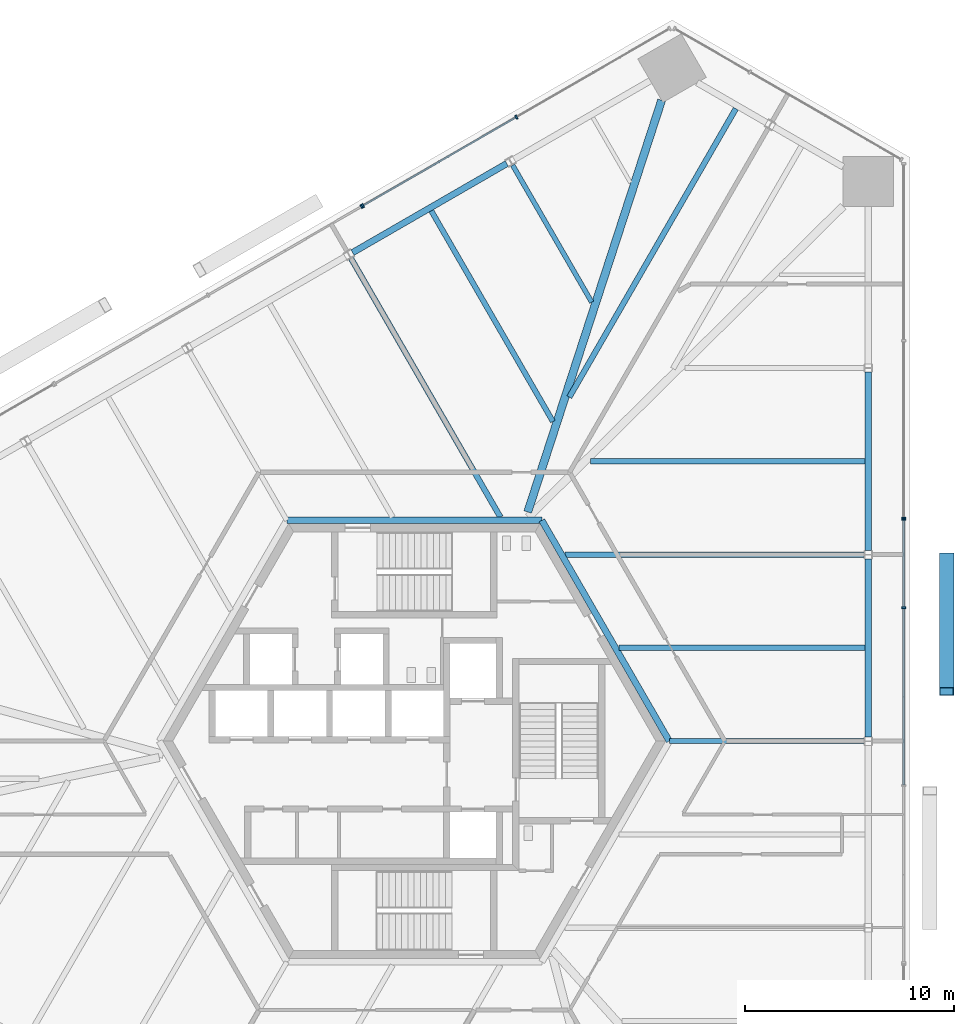
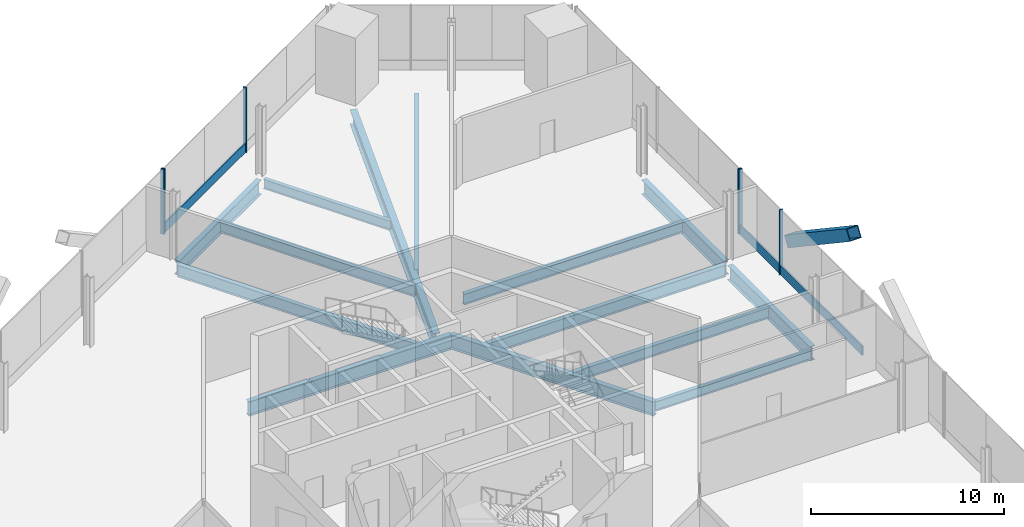
# One storey, part 6 of 15: 14 beams, 10 members, 4 elements without a shape of their own.
"""IFC4 building model written with IfcOpenShell, lengths in metres."""

from ifc_helpers import new_model, si_unit, direction, frame, origin, origin_2d, place, context, subcontext, project, spatial, rectangle, hollow_rectangle, i_section, extrude, source, transform, mapped, material, material_profile, profile_set, type_object, element, aggregate, save


model = new_model("IFC4")

# Units and contexts
model_context = context("Model", 3, precision=1e-05, world=origin(), true_north=direction((0.0, 1.0)))
body_context = subcontext(model_context, "Body", "Model", "MODEL_VIEW")
ifc_project = project(units=[si_unit("LENGTHUNIT", "METRE"), si_unit("AREAUNIT", "SQUARE_METRE"), si_unit("VOLUMEUNIT", "CUBIC_METRE"), si_unit("PLANEANGLEUNIT", "RADIAN"), si_unit("MASSUNIT", "GRAM", prefix="KILO")], contexts=[model_context])

# Site, building, storey
site_placement = place(None, origin())
site = spatial("IfcSite", under=ifc_project, at=site_placement, CompositionType="ELEMENT")
building_placement = place(site_placement, origin())
building = spatial("IfcBuilding", under=site, at=building_placement, Name="Triune Harvest Tower", CompositionType="ELEMENT")
storey_placement = place(building_placement, frame((0.0, 0.0, 28.89990234375)))
storey = spatial("IfcBuildingStorey", under=building, at=storey_placement, Name="L06", CompositionType="ELEMENT", Elevation=28.89990234375)

# Beams
ifc_material_1 = material(Name="Steel ASTM A992 Gr 50", Category="steel")
ifc_material_profile_1 = material_profile(ifc_material_1, i_section(OverallWidth=0.3046875, OverallDepth=0.914306640625, WebThickness=0.0166015625, FlangeThickness=0.02587890625, at=origin_2d()), Name="W36x160")
ifc_profile_set_1 = profile_set([ifc_material_profile_1], Name="Steel ASTM A992 Gr 50")
beam_type_1 = type_object("IfcBeamType", Name="CG-1 Core ring girder W36x160", PredefinedType="BEAM", material=ifc_profile_set_1)
shared_shape_1 = source(origin(), body_context, "Body", "SweptSolid", [
    extrude(i_section(OverallWidth=0.3046875, OverallDepth=0.914306640625, WebThickness=0.0166015625, FlangeThickness=0.02587890625, at=origin_2d()), origin(), (0.0, 0.0, 1.0), 12.176025390625),
])
beam_1_placement = place(storey_placement, frame((12.176025390625, 0.0, -0.656982421875), z_axis=(-0.5000099932, 0.866019634131, 0.0), x_axis=(-0.866019634131, -0.5000099932, 0.0)))
element("IfcBeam", 1, at=beam_1_placement, inside=storey, type_object=beam_type_1, Name="beam/L06/CG1", PredefinedType="BEAM", context=body_context, shape_type="MappedRepresentation", body=[
    mapped(shared_shape_1, transform((0.0, 0.0, 0.0), scale=1.0)),
])
shared_shape_2 = source(origin(), body_context, "Body", "SweptSolid", [
    extrude(i_section(OverallWidth=0.3046875, OverallDepth=0.914306640625, WebThickness=0.0166015625, FlangeThickness=0.02587890625, at=origin_2d()), origin(), (0.0, 0.0, 1.0), 12.17578125),
])
beam_2_placement = place(storey_placement, frame((6.087890625, 10.544677734375, -0.656982421875), z_axis=(-1.0, 0.0, 0.0), x_axis=(0.0, -1.0, 0.0)))
element("IfcBeam", 2, at=beam_2_placement, inside=storey, type_object=beam_type_1, Name="beam/L06/CG2", PredefinedType="BEAM", context=body_context, shape_type="MappedRepresentation", body=[
    mapped(shared_shape_2, transform((0.0, 0.0, 0.0), scale=1.0)),
])
ifc_material_2 = material(Name="Steel ASTM A992 Gr 50", Category="steel")
ifc_material_profile_2 = material_profile(ifc_material_2, i_section(OverallWidth=0.383544921875, OverallDepth=0.9423828125, WebThickness=0.022216796875, FlangeThickness=0.039794921875, at=origin_2d()), Name="W36x232")
ifc_profile_set_2 = profile_set([ifc_material_profile_2], Name="Steel ASTM A992 Gr 50")
beam_type_2 = type_object("IfcBeamType", Name="HG-1 Hip girder W36x232", PredefinedType="BEAM", material=ifc_profile_set_2)
shared_shape_3 = source(origin(), body_context, "Body", "SweptSolid", [
    extrude(i_section(OverallWidth=0.383544921875, OverallDepth=0.9423828125, WebThickness=0.022216796875, FlangeThickness=0.039794921875, at=origin_2d()), origin(), (0.0, 0.0, 1.0), 20.676025390625),
])
beam_3_placement = place(storey_placement, frame((11.809814453125, 30.6044921875, -0.671142578125), z_axis=(-0.309191000288, -0.950999960747, 0.0), x_axis=(0.950999960747, -0.309191000288, 0.0)))
element("IfcBeam", 3, at=beam_3_placement, inside=storey, type_object=beam_type_2, Name="beam/L06/HG3", PredefinedType="BEAM", context=body_context, shape_type="MappedRepresentation", body=[
    mapped(shared_shape_3, transform((0.0, 0.0, 0.0), scale=1.0)),
])
ifc_material_3 = material(Name="Steel ASTM A992 Gr 50", Category="steel")
ifc_material_profile_3 = material_profile(ifc_material_3, i_section(OverallWidth=0.2666015625, OverallDepth=0.7568359375, WebThickness=0.013916015625, FlangeThickness=0.019287109375, at=origin_2d()), Name="W30x108")
ifc_profile_set_3 = profile_set([ifc_material_profile_3], Name="Steel ASTM A992 Gr 50")
beam_type_3 = type_object("IfcBeamType", Name="JT-5 Floor joist W30x108", PredefinedType="JOIST", material=ifc_profile_set_3)
shared_shape_4 = source(origin(), body_context, "Body", "SweptSolid", [
    extrude(i_section(OverallWidth=0.2666015625, OverallDepth=0.7568359375, WebThickness=0.013916015625, FlangeThickness=0.019287109375, at=origin_2d()), origin(), (0.0, 0.0, 1.0), 14.2685546875),
])
for number, where, z_axis, x_axis, name in (
    (4, (21.476318359375, 8.909912109375, -0.578369140625), (-1.0, 0.0, 0.0), (0.0, -1.0, 0.0), "beam/L06/JT8"),
    (5, (-3.02197265625, 23.053955078125, -0.578369140625), (0.499999916269, -0.866025452127, 0.0), (0.866025452127, 0.499999916269, 0.0), "beam/L06/JT17"),
):
    element("IfcBeam", number, at=place(storey_placement, frame(where, z_axis=z_axis, x_axis=x_axis)), inside=storey, type_object=beam_type_3, Name=name, PredefinedType="JOIST", context=body_context, shape_type="MappedRepresentation", body=[
        mapped(shared_shape_4, transform((0.0, 0.0, 0.0), scale=1.0)),
    ])
ifc_material_4 = material(Name="Steel ASTM A992 Gr 50", Category="steel")
ifc_material_profile_4 = material_profile(ifc_material_4, i_section(OverallWidth=0.22900390625, OverallDepth=0.612060546875, WebThickness=0.011962890625, FlangeThickness=0.01953125, at=origin_2d()), Name="W24x84")
ifc_profile_set_4 = profile_set([ifc_material_profile_4], Name="Steel ASTM A992 Gr 50")
beam_type_4 = type_object("IfcBeamType", Name="JT-3 Floor joist W24x84", PredefinedType="JOIST", material=ifc_profile_set_4)
shared_shape_5 = source(origin(), body_context, "Body", "SweptSolid", [
    extrude(i_section(OverallWidth=0.22900390625, OverallDepth=0.612060546875, WebThickness=0.011962890625, FlangeThickness=0.01953125, at=origin_2d()), origin(), (0.0, 0.0, 1.0), 9.30029296875),
])
beam_4_placement = place(storey_placement, frame((21.476318359375, 0.0, -0.506103515625), z_axis=(-1.0, 0.0, 0.0), x_axis=(0.0, -1.0, 0.0)))
element("IfcBeam", 6, at=beam_4_placement, inside=storey, type_object=beam_type_4, Name="beam/L06/JT6", PredefinedType="JOIST", context=body_context, shape_type="MappedRepresentation", body=[
    mapped(shared_shape_5, transform((0.0, 0.0, 0.0), scale=1.0)),
])
shared_shape_6 = source(origin(), body_context, "Body", "SweptSolid", [
    extrude(i_section(OverallWidth=0.22900390625, OverallDepth=0.612060546875, WebThickness=0.011962890625, FlangeThickness=0.01953125, at=origin_2d()), origin(), (0.0, 0.0, 1.0), 7.55859375),
])
beam_5_placement = place(storey_placement, frame((4.6943359375, 27.509033203125, -0.506103515625), z_axis=(0.500002049001, -0.86602422079, 0.0), x_axis=(0.86602422079, 0.500002049001, 0.0)))
element("IfcBeam", 7, at=beam_5_placement, inside=storey, type_object=beam_type_4, Name="beam/L06/JT15", PredefinedType="JOIST", context=body_context, shape_type="MappedRepresentation", body=[
    mapped(shared_shape_6, transform((0.0, 0.0, 0.0), scale=1.0)),
])
ifc_material_5 = material(Name="Steel ASTM A992 Gr 50", Category="steel")
ifc_material_profile_5 = material_profile(ifc_material_5, i_section(OverallWidth=0.3046875, OverallDepth=0.914306640625, WebThickness=0.0166015625, FlangeThickness=0.02587890625, at=origin_2d()), Name="W36x160")
ifc_profile_set_5 = profile_set([ifc_material_profile_5], Name="Steel ASTM A992 Gr 50")
beam_type_5 = type_object("IfcBeamType", Name="SB-1 Spandrel beam W36x160", PredefinedType="SPANDREL", material=ifc_profile_set_5)
shared_shape_7 = source(origin(), body_context, "Body", "SweptSolid", [
    extrude(i_section(OverallWidth=0.3046875, OverallDepth=0.914306640625, WebThickness=0.0166015625, FlangeThickness=0.02587890625, at=origin_2d()), origin(), (0.0, 0.0, 1.0), 8.50634765625),
])
beam_6_placement = place(storey_placement, frame((21.679443359375, 9.11181640625, -0.656982421875), z_axis=(0.0, 1.0, 0.0), x_axis=(-1.0, 0.0, 0.0)))
element("IfcBeam", 8, at=beam_6_placement, inside=storey, type_object=beam_type_5, Name="beam/L06/SB5", PredefinedType="SPANDREL", context=body_context, shape_type="MappedRepresentation", body=[
    mapped(shared_shape_7, transform((0.0, 0.0, 0.0), scale=1.0)),
])
shared_shape_8 = source(origin(), body_context, "Body", "SweptSolid", [
    extrude(i_section(OverallWidth=0.3046875, OverallDepth=0.914306640625, WebThickness=0.0166015625, FlangeThickness=0.02587890625, at=origin_2d()), origin(), (0.0, 0.0, 1.0), 8.506103515625),
])
for number, where, z_axis, x_axis, name in (
    (9, (21.679443359375, 0.201904296875, -0.656982421875), (0.0, 1.0, 0.0), (-1.0, 0.0, 0.0), "beam/L06/SB4"),
    (10, (4.41796875, 27.583984375, -0.656982421875), (-0.866030246746, -0.49999161165, 0.0), (0.49999161165, -0.866030246746, 0.0), "beam/L06/SB10"),
):
    element("IfcBeam", number, at=place(storey_placement, frame(where, z_axis=z_axis, x_axis=x_axis)), inside=storey, type_object=beam_type_5, Name=name, PredefinedType="SPANDREL", context=body_context, shape_type="MappedRepresentation", body=[
        mapped(shared_shape_8, transform((0.0, 0.0, 0.0), scale=1.0)),
    ])
ifc_material_6 = material(Name="Steel ASTM A992 Gr 50", Category="steel")
ifc_material_profile_6 = material_profile(ifc_material_6, i_section(OverallWidth=0.253662109375, OverallDepth=0.683349609375, WebThickness=0.012451171875, FlangeThickness=0.01904296875, at=origin_2d()), Name="W27x94")
ifc_profile_set_6 = profile_set([ifc_material_profile_6], Name="Steel ASTM A992 Gr 50")
beam_type_6 = type_object("IfcBeamType", Name="JT-4 Floor joist W27x94", PredefinedType="JOIST", material=ifc_profile_set_6)
shared_shape_9 = source(origin(), body_context, "Body", "SweptSolid", [
    extrude(i_section(OverallWidth=0.253662109375, OverallDepth=0.683349609375, WebThickness=0.012451171875, FlangeThickness=0.01904296875, at=origin_2d()), origin(), (0.0, 0.0, 1.0), 11.747314453125),
])
beam_7_placement = place(storey_placement, frame((21.527099609375, 4.455078125, -0.54150390625), z_axis=(-1.0, 0.0, 0.0), x_axis=(0.0, -1.0, 0.0)))
element("IfcBeam", 11, at=beam_7_placement, inside=storey, type_object=beam_type_6, Name="beam/L06/JT7", PredefinedType="JOIST", context=body_context, shape_type="MappedRepresentation", body=[
    mapped(shared_shape_9, transform((0.0, 0.0, 0.0), scale=1.0)),
])
shared_shape_10 = source(origin(), body_context, "Body", "SweptSolid", [
    extrude(i_section(OverallWidth=0.253662109375, OverallDepth=0.683349609375, WebThickness=0.012451171875, FlangeThickness=0.01904296875, at=origin_2d()), origin(), (0.0, 0.0, 1.0), 13.110107421875),
])
beam_8_placement = place(storey_placement, frame((21.527099609375, 13.364990234375, -0.54150390625), z_axis=(-1.0, 0.0, 0.0), x_axis=(0.0, -1.0, 0.0)))
element("IfcBeam", 12, at=beam_8_placement, inside=storey, type_object=beam_type_6, Name="beam/L06/JT9", PredefinedType="JOIST", context=body_context, shape_type="MappedRepresentation", body=[
    mapped(shared_shape_10, transform((0.0, 0.0, 0.0), scale=1.0)),
])
shared_shape_11 = source(origin(), body_context, "Body", "SweptSolid", [
    extrude(i_section(OverallWidth=0.2666015625, OverallDepth=0.7568359375, WebThickness=0.013916015625, FlangeThickness=0.019287109375, at=origin_2d()), origin(), (0.0, 0.0, 1.0), 15.90771484375),
])
beam_9_placement = place(storey_placement, frame((15.3564453125, 30.20458984375, -0.578369140625), z_axis=(-0.500003211559, -0.866023549582, 0.0), x_axis=(0.866023549582, -0.500003211559, 0.0)))
element("IfcBeam", 13, at=beam_9_placement, inside=storey, type_object=beam_type_3, Name="beam/L06/JT13", PredefinedType="JOIST", context=body_context, shape_type="MappedRepresentation", body=[
    mapped(shared_shape_11, transform((0.0, 0.0, 0.0), scale=1.0)),
])
shared_shape_12 = source(origin(), body_context, "Body", "SweptSolid", [
    extrude(i_section(OverallWidth=0.253662109375, OverallDepth=0.683349609375, WebThickness=0.012451171875, FlangeThickness=0.01904296875, at=origin_2d()), origin(), (0.0, 0.0, 1.0), 11.618896484375),
])
beam_10_placement = place(storey_placement, frame((0.810791015625, 25.325439453125, -0.54150390625), z_axis=(0.500008015982, -0.866020775706, 0.0), x_axis=(0.866020775706, 0.500008015982, 0.0)))
element("IfcBeam", 14, at=beam_10_placement, inside=storey, type_object=beam_type_6, Name="beam/L06/JT16", PredefinedType="JOIST", context=body_context, shape_type="MappedRepresentation", body=[
    mapped(shared_shape_12, transform((0.0, 0.0, 0.0), scale=1.0)),
])

# Member
ifc_material_7 = material(Name="Steel ASTM A572 Gr 50", Category="steel")
ifc_material_profile_7 = material_profile(ifc_material_7, hollow_rectangle(XDim=0.699951171875, YDim=0.699951171875, WallThickness=0.0400390625, at=origin_2d()), Name="Box 700x700x40")
ifc_profile_set_7 = profile_set([ifc_material_profile_7], Name="Steel ASTM A572 Gr 50")
member_type_1 = type_object("IfcMemberType", Name="BR-1 Brace Box 700x700x40", PredefinedType="BRACE", material=ifc_profile_set_7)
shared_shape_13 = source(origin(), body_context, "Body", "SweptSolid", [
    extrude(hollow_rectangle(XDim=0.699951171875, YDim=0.699951171875, WallThickness=0.0400390625, at=origin_2d()), origin(), (0.0, 0.0, 1.0), 7.728515625),
])
member_1_placement = place(storey_placement, frame((25.42138671875, 8.793701171875, 0.0), z_axis=(0.0, -0.830925953807, 0.556383014918), x_axis=(1.0, 0.0, 0.0)))
element("IfcMember", 15, at=member_1_placement, inside=storey, type_object=member_type_1, Name="brace/B1-F1/d2/4", PredefinedType="BRACE", context=body_context, shape_type="MappedRepresentation", body=[
    mapped(shared_shape_13, transform((0.0, 0.0, 0.0), scale=1.0)),
])

# Curtain wall, members
ifc_material_8 = material(Name="Aluminium bronze anodised", Category="aluminium")
curtain_wall_type_1 = type_object("IfcCurtainWallType", Name="CW-8 Farm floor curtain wall with insulated spandrel infill", PredefinedType="NOTDEFINED", material=ifc_material_8)
curtain_wall_1_placement = place(storey_placement, origin())
curtain_wall_1 = element("IfcCurtainWall", 16, at=curtain_wall_1_placement, inside=storey, type_object=curtain_wall_type_1, Name="CW-8 B1-F1 L06 run 1001")
ifc_material_9 = material(Name="Aluminium bronze anodised", Category="aluminium")
ifc_material_profile_8 = material_profile(ifc_material_9, rectangle(XDim=0.199951171875, YDim=0.080078125, at=origin_2d()), Name="MU-3 mullion 80 x 200")
ifc_profile_set_8 = profile_set([ifc_material_profile_8], Name="Aluminium bronze anodised")
member_type_2 = type_object("IfcMemberType", Name="MU-3 mullion 80 x 200", PredefinedType="MULLION", material=ifc_profile_set_8)
shared_shape_14 = source(origin(), body_context, "Body", "SweptSolid", [
    extrude(rectangle(XDim=0.199951171875, YDim=0.080078125, at=origin_2d()), origin(), (0.0, 0.0, 1.0), 4.10009765625),
])
member_2_placement = place(storey_placement, frame((23.371337890625, 6.373046875, 0.0), z_axis=(0.0, 0.0, 1.0), x_axis=(-1.0, 0.0, 0.0)))
member_2 = element("IfcMember", 17, at=member_2_placement, type_object=member_type_2, Name="CW-8 mullion B1-F1 1001.5", PredefinedType="MULLION", context=body_context, shape_type="MappedRepresentation", body=[
    mapped(shared_shape_14, transform((0.0, 0.0, 0.0), scale=1.0)),
])
member_3_placement = place(storey_placement, frame((23.371337890625, 10.581787109375, 0.0), z_axis=(0.0, 0.0, 1.0), x_axis=(-1.0, 0.0, 0.0)))
member_3 = element("IfcMember", 18, at=member_3_placement, type_object=member_type_2, Name="CW-8 mullion B1-F1 1001.6", PredefinedType="MULLION", context=body_context, shape_type="MappedRepresentation", body=[
    mapped(shared_shape_14, transform((0.0, 0.0, 0.0), scale=1.0)),
])

# Curtain wall, member
ifc_material_10 = material(Name="Aluminium bronze anodised", Category="aluminium")
curtain_wall_type_2 = type_object("IfcCurtainWallType", Name="CW-3 Farm floor curtain wall", PredefinedType="NOTDEFINED", material=ifc_material_10)
curtain_wall_2_placement = place(storey_placement, origin())
curtain_wall_2 = element("IfcCurtainWall", 19, at=curtain_wall_2_placement, inside=storey, type_object=curtain_wall_type_2, Name="CW-3 B1-F1 L06 run 2001")
member_4_placement = place(storey_placement, frame((23.371337890625, 10.661865234375, 0.0), z_axis=(0.0, 0.0, 1.0), x_axis=(-1.0, 0.0, 0.0)))
member_4 = element("IfcMember", 20, at=member_4_placement, type_object=member_type_2, Name="CW-3 mullion B1-F1 2001.1", PredefinedType="MULLION", context=body_context, shape_type="MappedRepresentation", body=[
    mapped(shared_shape_14, transform((0.0, 0.0, 0.0), scale=1.0)),
])
aggregate(curtain_wall_2, [member_4])

# Curtain wall, members
curtain_wall_3_placement = place(storey_placement, origin())
curtain_wall_3 = element("IfcCurtainWall", 21, at=curtain_wall_3_placement, inside=storey, type_object=curtain_wall_type_2, Name="CW-3 B1-F3 L06 run 1")
member_5_placement = place(storey_placement, frame((4.8720703125, 29.7998046875, 0.0), z_axis=(0.0, 0.0, 1.0), x_axis=(0.500001122288, -0.86602475583, 0.0)))
member_5 = element("IfcMember", 22, at=member_5_placement, type_object=member_type_2, Name="CW-3 mullion B1-F3 1.3", PredefinedType="MULLION", context=body_context, shape_type="MappedRepresentation", body=[
    mapped(shared_shape_14, transform((0.0, 0.0, 0.0), scale=1.0)),
])
member_6_placement = place(storey_placement, frame((-2.4521484375, 25.571044921875, 0.0), z_axis=(0.0, 0.0, 1.0), x_axis=(0.500001122288, -0.86602475583, 0.0)))
member_6 = element("IfcMember", 23, at=member_6_placement, type_object=member_type_2, Name="CW-3 mullion B1-F3 1.5", PredefinedType="MULLION", context=body_context, shape_type="MappedRepresentation", body=[
    mapped(shared_shape_14, transform((0.0, 0.0, 0.0), scale=1.0)),
])

# Curtain wall, member
curtain_wall_4_placement = place(storey_placement, origin())
curtain_wall_4 = element("IfcCurtainWall", 24, at=curtain_wall_4_placement, inside=storey, type_object=curtain_wall_type_1, Name="CW-8 B1-F3 L06 run 1001")
member_7_placement = place(storey_placement, frame((-2.521484375, 25.531005859375, 0.0), z_axis=(0.0, 0.0, 1.0), x_axis=(0.500000044272, -0.866025378224, 0.0)))
member_7 = element("IfcMember", 25, at=member_7_placement, type_object=member_type_2, Name="CW-8 mullion B1-F3 1001.1", PredefinedType="MULLION", context=body_context, shape_type="MappedRepresentation", body=[
    mapped(shared_shape_14, transform((0.0, 0.0, 0.0), scale=1.0)),
])
aggregate(curtain_wall_4, [member_7])

# Member
ifc_material_11 = material(Name="Aluminium bronze anodised", Category="aluminium")
ifc_material_profile_9 = material_profile(ifc_material_11, rectangle(XDim=0.090087890625, YDim=0.60009765625, at=origin_2d()), Name="TR-3 transom 90 x 600")
ifc_profile_set_9 = profile_set([ifc_material_profile_9], Name="Aluminium bronze anodised")
member_type_3 = type_object("IfcMemberType", Name="TR-3 transom 90 x 600", PredefinedType="USERDEFINED", material=ifc_profile_set_9)
shared_shape_15 = source(origin(), body_context, "Body", "SweptSolid", [
    extrude(rectangle(XDim=0.090087890625, YDim=0.60009765625, at=origin_2d()), origin(), (0.0, 0.0, 1.0), 8.37744140625),
])
member_8_placement = place(storey_placement, frame((4.83740234375, 29.77978515625, 0.300048828125), z_axis=(-0.866026892193, -0.499997421992, 0.0), x_axis=(0.499997421992, -0.866026892193, 0.0)))
member_8 = element("IfcMember", 26, at=member_8_placement, type_object=member_type_3, Name="CW-3 transom B1-F3 1.2", ObjectType="TRANSOM", PredefinedType="USERDEFINED", context=body_context, shape_type="MappedRepresentation", body=[
    mapped(shared_shape_15, transform((0.0, 0.0, 0.0), scale=1.0)),
])

aggregate(curtain_wall_3, [member_5, member_6, member_8])

shared_shape_16 = source(origin(), body_context, "Body", "SweptSolid", [
    extrude(rectangle(XDim=0.090087890625, YDim=0.60009765625, at=origin_2d()), origin(), (0.0, 0.0, 1.0), 8.41748046875),
])
member_9_placement = place(storey_placement, frame((23.371337890625, -2.08447265625, 0.300048828125), z_axis=(0.0, 1.0, 0.0), x_axis=(-1.0, 0.0, 0.0)))
member_9 = element("IfcMember", 27, at=member_9_placement, type_object=member_type_3, Name="CW-8 transom B1-F1 1001.2", ObjectType="TRANSOM", PredefinedType="USERDEFINED", context=body_context, shape_type="MappedRepresentation", body=[
    mapped(shared_shape_16, transform((0.0, 0.0, 0.0), scale=1.0)),
])

shared_shape_17 = source(origin(), body_context, "Body", "SweptSolid", [
    extrude(rectangle(XDim=0.090087890625, YDim=0.60009765625, at=origin_2d()), origin(), (0.0, 0.0, 1.0), 4.128662109375),
])
member_10_placement = place(storey_placement, frame((23.371337890625, 6.4130859375, 0.300048828125), z_axis=(0.0, 1.0, 0.0), x_axis=(-1.0, 0.0, 0.0)))
member_10 = element("IfcMember", 28, at=member_10_placement, type_object=member_type_3, Name="CW-8 transom B1-F1 1001.3", ObjectType="TRANSOM", PredefinedType="USERDEFINED", context=body_context, shape_type="MappedRepresentation", body=[
    mapped(shared_shape_17, transform((0.0, 0.0, 0.0), scale=1.0)),
])

aggregate(curtain_wall_1, [member_2, member_3, member_9, member_10])

save(model, "model.ifc")
